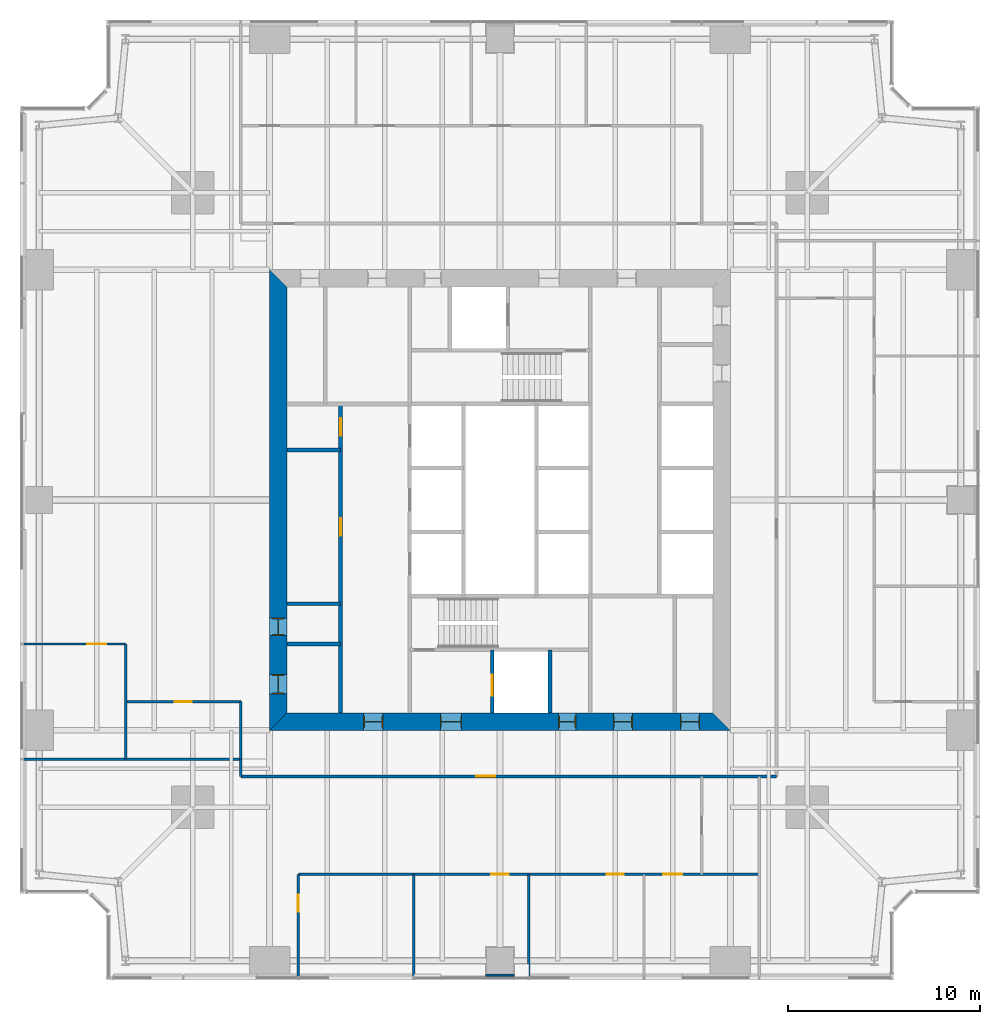
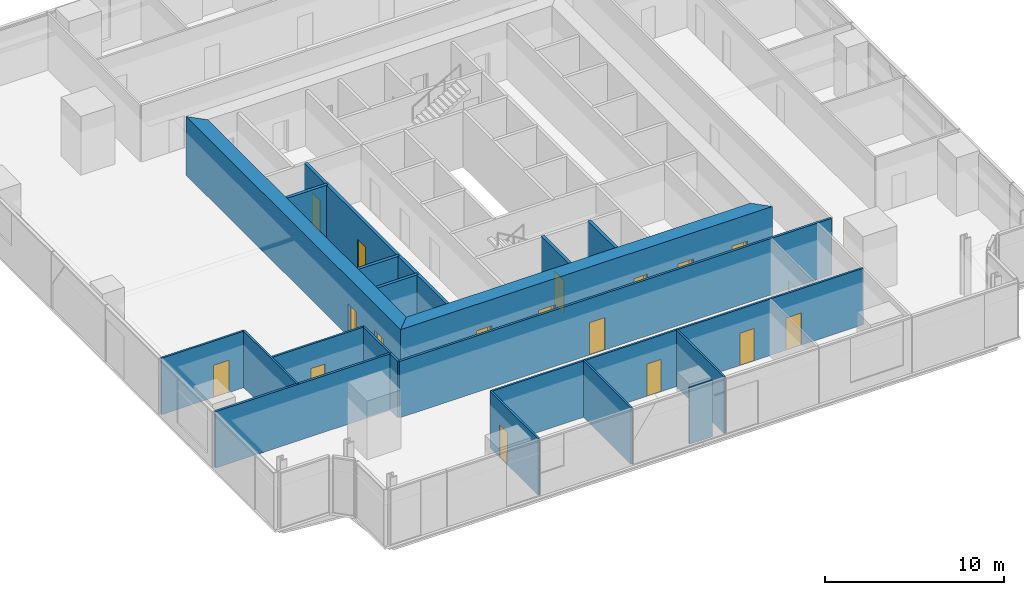
# One storey, part 9 of 13: 20 walls, 17 doors, 17 openings.
"""IFC4 building model written with IfcOpenShell, lengths in metres."""

import ifcopenshell
import ifcopenshell.guid

model = None  # the IFC model being written
_history = None  # IfcOwnerHistory: only IFC2X3 demands one
_inside = {}  # id of a spatial element -> (the spatial element, [elements in it])
_under = {}  # id of a project, library or spatial element -> (it, [spatial elements below it])
_declared = {}  # id of a project -> (the project, [libraries it declares])
_typed = {}  # id of a type object -> (the type object, [elements of that type])
_made_of = {}  # id of a material, layer set ... -> (it, [elements and type objects made of it])


def new_model(schema):
    """Start an empty IFC model of exactly this schema.

    Asked for "IFC4X3", IfcOpenShell would pick the latest addendum, in which some entities
    have other attributes; the version numbers below select the first issue.
    IFC2X3 requires an IfcOwnerHistory on every rooted entity: one is made here for all.
    """
    global model, _history
    if schema == "IFC4X3":
        model = ifcopenshell.file(schema_version=(4, 3, 0, 0))
    else:
        model = ifcopenshell.file(schema=schema)
    _inside.clear()
    _under.clear()
    _declared.clear()
    _typed.clear()
    _made_of.clear()
    _history = None
    if model.schema == "IFC2X3":
        org = make("IfcOrganization", Name="unknown")
        user = make(
            "IfcPersonAndOrganization",
            ThePerson=make("IfcPerson", FamilyName="unknown"),
            TheOrganization=org,
        )
        app = make(
            "IfcApplication",
            ApplicationDeveloper=org,
            Version="unknown",
            ApplicationFullName="unknown",
            ApplicationIdentifier="unknown",
        )
        _history = make(
            "IfcOwnerHistory",
            OwningUser=user,
            OwningApplication=app,
            ChangeAction="ADDED",
            CreationDate=0,
        )
    return model


def make(cls, **values):
    """One entity of the class cls with the attributes given. An attribute that is None is left unset."""
    return model.create_entity(
        cls, **{name: value for name, value in values.items() if value is not None}
    )


def rooted(cls, **values):
    """An entity with a GlobalId (a new one), such as an element, a storey or a relation."""
    return make(cls, GlobalId=ifcopenshell.guid.new(), OwnerHistory=_history, **values)


def si_unit(unit_type, name, prefix=None):
    """IfcSIUnit, for example si_unit("LENGTHUNIT", "METRE", prefix="MILLI")."""
    return make("IfcSIUnit", UnitType=unit_type, Prefix=prefix, Name=name)


def assignment(units):
    """IfcUnitAssignment: the units of a project."""
    return None if units is None else make("IfcUnitAssignment", Units=units)


def point(xyz):
    """IfcCartesianPoint."""
    return None if xyz is None else make("IfcCartesianPoint", Coordinates=xyz)


def direction(xyz):
    """IfcDirection."""
    return None if xyz is None else make("IfcDirection", DirectionRatios=xyz)


def frame(location, z_axis=None, x_axis=None):
    """IfcAxis2Placement3D, a coordinate frame: its origin and axes. An axis left out is left unset."""
    return make(
        "IfcAxis2Placement3D",
        Location=point(location),
        Axis=direction(z_axis),
        RefDirection=direction(x_axis),
    )


def frame_2d(location, x_axis=None):
    """IfcAxis2Placement2D, a coordinate frame in the plane: its origin and x axis."""
    return make(
        "IfcAxis2Placement2D", Location=point(location), RefDirection=direction(x_axis)
    )


def origin():
    """The frame at (0, 0, 0) with its axes left unset."""
    return frame((0.0, 0.0, 0.0))


def place(relative_to, where):
    """IfcLocalPlacement: puts the frame where relative to a parent placement (None: the world)."""
    return make(
        "IfcLocalPlacement", PlacementRelTo=relative_to, RelativePlacement=where
    )


def context(
    kind, dimensions, precision=None, world=None, true_north=None, identifier=None
):
    """IfcGeometricRepresentationContext, for example the 3D "Model" context."""
    return make(
        "IfcGeometricRepresentationContext",
        ContextIdentifier=identifier,
        ContextType=kind,
        CoordinateSpaceDimension=dimensions,
        Precision=precision,
        WorldCoordinateSystem=world,
        TrueNorth=true_north,
    )


def subcontext(parent, identifier, kind, view, scale=None):
    """IfcGeometricRepresentationSubContext, for example "Body" below "Model"."""
    return make(
        "IfcGeometricRepresentationSubContext",
        ContextIdentifier=identifier,
        ContextType=kind,
        ParentContext=parent,
        TargetScale=scale,
        TargetView=view,
    )


def project(units=None, contexts=None):
    """IfcProject with its units and contexts."""
    return rooted(
        "IfcProject",
        Name="project",
        RepresentationContexts=contexts,
        UnitsInContext=assignment(units),
    )


def spatial(cls, under=None, at=None, **own):
    """A site, building, storey or space (cls), placed at a placement, below another one or the project."""
    s = rooted(cls, ObjectPlacement=at, **own)
    if under is not None:
        _under.setdefault(under.id(), (under, []))[1].append(s)
    return s


def polyline(points):
    """IfcPolyline through the points."""
    return make("IfcPolyline", Points=[point(p) for p in points])


def profile(cls, at=None, kind="AREA", **sizes):
    """A parametric profile (cls). Its sizes go by their IFC names, for example OverallWidth=200.0."""
    return make(cls, ProfileType=kind, Position=at, **sizes)


def rectangle(**sizes):
    """IfcRectangleProfileDef."""
    return profile("IfcRectangleProfileDef", **sizes)


def outline(outer, holes=None, kind="AREA"):
    """IfcArbitraryClosedProfileDef: a profile drawn as a closed curve; with holes, ...WithVoids."""
    if holes is None:
        return make("IfcArbitraryClosedProfileDef", ProfileType=kind, OuterCurve=outer)
    return make(
        "IfcArbitraryProfileDefWithVoids",
        ProfileType=kind,
        OuterCurve=outer,
        InnerCurves=holes,
    )


def extrude(swept, where, along, depth):
    """IfcExtrudedAreaSolid: the profile swept, set in the frame where, extruded along a direction by depth."""
    return make(
        "IfcExtrudedAreaSolid",
        SweptArea=swept,
        Position=where,
        ExtrudedDirection=direction(along),
        Depth=depth,
    )


def shape(context_of_items, identifier, shape_type, items):
    """IfcShapeRepresentation: the items that make up one representation, for example the "Body"."""
    return make(
        "IfcShapeRepresentation",
        ContextOfItems=context_of_items,
        RepresentationIdentifier=identifier,
        RepresentationType=shape_type,
        Items=items,
    )


def material(Name=None, Category=None):
    """IfcMaterial."""
    return make("IfcMaterial", Name=Name, Category=Category)


def layer(
    of_material, thickness, ventilated=None, Name=None, Category=None, Priority=None
):
    """IfcMaterialLayer: one layer of a wall or slab, of a material (None: an air gap)."""
    return make(
        "IfcMaterialLayer",
        Material=of_material,
        LayerThickness=thickness,
        IsVentilated=ventilated,
        Name=Name,
        Category=Category,
        Priority=Priority,
    )


def layer_set(layers, Name=None):
    """IfcMaterialLayerSet."""
    return make("IfcMaterialLayerSet", MaterialLayers=layers, LayerSetName=Name)


def made_of(thing, what):
    """Note that an element or type object is made of a material, layer set ...; save() writes the relation."""
    if what is not None:
        _made_of.setdefault(what.id(), (what, []))[1].append(thing)
    return thing


def type_object(cls, material=None, **own):
    """A type object (cls), such as IfcWallType, which elements share."""
    return made_of(rooted(cls, **own), material)


def element(
    cls,
    number,
    at=None,
    inside=None,
    cuts=None,
    type_object=None,
    material=None,
    context=None,
    identifier="Body",
    shape_type=None,
    held_by="IfcProductDefinitionShape",
    body=None,
    shapes=None,
    **own,
):
    """One element of the class cls, such as IfcWall. Its Tag is "e" and its number.

    at: its placement. inside: the storey or other place that contains it. cuts: it is an
    opening in that element (IfcRelVoidsElement). A single representation is given by context,
    identifier, shape_type and body (its items); several are given by shapes. held_by: the class
    of the entity that holds the representations. save() writes the other relations.
    """
    e = rooted(cls, Tag="e%d" % number, ObjectPlacement=at, **own)
    if body is not None:
        shapes = [shape(context, identifier, shape_type, body)]
    if shapes is not None:
        e.Representation = make(held_by, Representations=shapes)
    if inside is not None:
        _inside.setdefault(inside.id(), (inside, []))[1].append(e)
    if cuts is not None:
        rooted(
            "IfcRelVoidsElement", RelatingBuildingElement=cuts, RelatedOpeningElement=e
        )
    if type_object is not None:
        _typed.setdefault(type_object.id(), (type_object, []))[1].append(e)
    return made_of(e, material)


def fill(opening, filler):
    """IfcRelFillsElement: the door or window that sits in an opening."""
    return rooted(
        "IfcRelFillsElement",
        RelatingOpeningElement=opening,
        RelatedBuildingElement=filler,
    )


def aggregate(whole, parts):
    """IfcRelAggregates: a whole, such as a stair, and the parts it consists of."""
    return rooted("IfcRelAggregates", RelatingObject=whole, RelatedObjects=parts)


def save(model, path):
    """Write the relations noted so far, then the file.

    IfcRelAggregates (storeys below a building ...), IfcRelContainedInSpatialStructure (elements
    in a storey), IfcRelDefinesByType, IfcRelAssociatesMaterial and IfcRelDeclares: one each for
    every whole, place, type object, material and project.
    """
    for whole, parts in _under.values():
        aggregate(whole, parts)
    for where, things in _inside.values():
        rooted(
            "IfcRelContainedInSpatialStructure",
            RelatedElements=things,
            RelatingStructure=where,
        )
    for kind, things in _typed.values():
        rooted("IfcRelDefinesByType", RelatedObjects=things, RelatingType=kind)
    for what, things in _made_of.values():
        rooted("IfcRelAssociatesMaterial", RelatedObjects=things, RelatingMaterial=what)
    for by, libraries in _declared.values():
        rooted("IfcRelDeclares", RelatingContext=by, RelatedDefinitions=libraries)
    model.write(path)


model = new_model("IFC4")

# Units and contexts
model_context = context("Model", 3, precision=1e-05, world=origin(), true_north=direction((0.0, 1.0)))
body_context = subcontext(model_context, "Body", "Model", "MODEL_VIEW")
ifc_project = project(units=[si_unit("LENGTHUNIT", "METRE"), si_unit("AREAUNIT", "SQUARE_METRE"), si_unit("VOLUMEUNIT", "CUBIC_METRE"), si_unit("PLANEANGLEUNIT", "RADIAN"), si_unit("MASSUNIT", "GRAM", prefix="KILO")], contexts=[model_context])

# Site, building, storey
site_placement = place(None, origin())
site = spatial("IfcSite", under=ifc_project, at=site_placement, CompositionType="ELEMENT")
building_placement = place(site_placement, origin())
building = spatial("IfcBuilding", under=site, at=building_placement, Name="Fenwick Lantern Interchange", CompositionType="ELEMENT")
storey_placement = place(building_placement, frame((0.0, 0.0, 102.39990234375)))
storey = spatial("IfcBuildingStorey", under=building, at=storey_placement, Name="L23", CompositionType="ELEMENT", Elevation=102.39990234375)

# Wall
ifc_material_1 = material(Name="Fire-rated gypsum board encasement on steel studs, 2 hour", Category="steel")
ifc_layer_1 = layer(ifc_material_1, 1.5)
ifc_layer_set_1 = layer_set([ifc_layer_1], Name="COLUMN PIER 1500")
wall_type_1 = type_object("IfcWallType", Name="COLUMN PIER 1500", PredefinedType="PARTITIONING", material=ifc_layer_set_1)
wall_1_placement = place(storey_placement, frame((25.0, 0.199951171875, 0.0), z_axis=(0.0, 0.0, 1.0), x_axis=(0.0, 1.0, 0.0)))
element("IfcWall", 1, at=wall_1_placement, inside=storey, type_object=wall_type_1, Name="L23/W/PIER/CS3", PredefinedType="PARTITIONING", context=body_context, shape_type="SweptSolid", body=[
    extrude(rectangle(XDim=0.10009765625, YDim=1.5, at=frame_2d((0.050048828125, 0.0))), origin(), (0.0, 0.0, 1.0), 3.85009765625),
])

# Wall, openings, doors
ifc_material_2 = material(Name="Concrete masonry ASTM C90 Grade N", Category="masonry")
ifc_layer_2 = layer(ifc_material_2, 0.199951171875)
ifc_layer_set_2 = layer_set([ifc_layer_2], Name="Concrete masonry ASTM C90 Grade N")
wall_type_2 = type_object("IfcWallType", Name="CORE PARTITION 200", PredefinedType="PARTITIONING", material=ifc_layer_set_2)
wall_2_placement = place(storey_placement, frame((16.699951171875, 13.89990234375, 0.0), z_axis=(0.0, 0.0, 1.0), x_axis=(0.0, 1.0, 0.0)))
wall_2 = element("IfcWall", 2, at=wall_2_placement, inside=storey, type_object=wall_type_2, Name="L23/W/CORES/a", PredefinedType="PARTITIONING", context=body_context, shape_type="SweptSolid", body=[
    extrude(rectangle(XDim=16.10009765625, YDim=0.199951171875, at=frame_2d((8.050048828125, 0.0))), origin(), (0.0, 0.0, 1.0), 3.800048828125),
])
opening_1_placement = place(wall_2_placement, frame((9.25, 0.0, 0.0)))
opening_1 = element("IfcOpeningElement", 3, at=opening_1_placement, cuts=wall_2, Name="Opening L23-D009", PredefinedType="OPENING", context=body_context, shape_type="SweptSolid", body=[
    extrude(rectangle(XDim=0.89990234375, YDim=2.199951171875, at=frame_2d((0.449951171875, 1.10009765625))), frame((0.0, 0.10986328125, 0.0), z_axis=(0.0, -1.0, 0.0), x_axis=(1.0, 0.0, 0.0)), (0.0, 0.0, 1.0), 0.219970703125),
])
opening_2_placement = place(wall_2_placement, frame((14.449951171875, 0.0, 0.0)))
opening_2 = element("IfcOpeningElement", 4, at=opening_2_placement, cuts=wall_2, Name="Opening L23-D010", PredefinedType="OPENING", context=body_context, shape_type="SweptSolid", body=[
    extrude(rectangle(XDim=0.89990234375, YDim=2.199951171875, at=frame_2d((0.449951171875, 1.10009765625))), frame((0.0, 0.10986328125, 0.0), z_axis=(0.0, -1.0, 0.0), x_axis=(1.0, 0.0, 0.0)), (0.0, 0.0, 1.0), 0.219970703125),
])
ifc_material_3 = material(Name="Steel door and frame", Category="steel")
door_type_1 = type_object("IfcDoorType", Name="SERVICE DOOR 900 X 2200", OperationType="SINGLE_SWING_LEFT", PredefinedType="DOOR", material=ifc_material_3)
door_1_placement = place(opening_1_placement, origin())
door_1 = element("IfcDoor", 5, at=door_1_placement, inside=storey, type_object=door_type_1, Name="Service door", OperationType="SINGLE_SWING_LEFT", OverallHeight=2.199951171875, OverallWidth=0.89990234375, PredefinedType="DOOR", context=body_context, shape_type="SweptSolid", body=[
    extrude(rectangle(XDim=0.89990234375, YDim=2.199951171875, at=frame_2d((0.449951171875, 1.10009765625))), frame((0.0, 0.02490234375, 0.0), z_axis=(0.0, -1.0, 0.0), x_axis=(1.0, 0.0, 0.0)), (0.0, 0.0, 1.0), 0.050048828125),
])
fill(opening_1, door_1)
door_2_placement = place(opening_2_placement, origin())
door_2 = element("IfcDoor", 6, at=door_2_placement, inside=storey, type_object=door_type_1, Name="Service door", OperationType="SINGLE_SWING_LEFT", OverallHeight=2.199951171875, OverallWidth=0.89990234375, PredefinedType="DOOR", context=body_context, shape_type="SweptSolid", body=[
    extrude(rectangle(XDim=0.89990234375, YDim=2.199951171875, at=frame_2d((0.449951171875, 1.10009765625))), frame((0.0, 0.02490234375, 0.0), z_axis=(0.0, -1.0, 0.0), x_axis=(1.0, 0.0, 0.0)), (0.0, 0.0, 1.0), 0.050048828125),
])
fill(opening_2, door_2)

# Wall, opening, door
wall_3_placement = place(storey_placement, frame((24.60009765625, 13.89990234375, 0.0), z_axis=(0.0, 0.0, 1.0), x_axis=(0.0, 1.0, 0.0)))
wall_3 = element("IfcWall", 7, at=wall_3_placement, inside=storey, type_object=wall_type_2, Name="L23/W/CORES/h1", PredefinedType="PARTITIONING", context=body_context, shape_type="SweptSolid", body=[
    extrude(rectangle(XDim=3.300048828125, YDim=0.199951171875, at=frame_2d((1.64990234375, 0.0))), origin(), (0.0, 0.0, 1.0), 3.800048828125),
])
opening_3_placement = place(wall_3_placement, frame((0.89990234375, 0.0, 0.0)))
opening_3 = element("IfcOpeningElement", 8, at=opening_3_placement, cuts=wall_3, Name="Opening LD-FL1", PredefinedType="OPENING", context=body_context, shape_type="SweptSolid", body=[
    extrude(rectangle(XDim=1.10009765625, YDim=2.199951171875, at=frame_2d((0.550048828125, 1.10009765625))), frame((0.0, 0.10986328125, 0.0), z_axis=(0.0, -1.0, 0.0), x_axis=(1.0, 0.0, 0.0)), (0.0, 0.0, 1.0), 0.219970703125),
])
door_type_2 = type_object("IfcDoorType", Name="LIFT LANDING DOOR 1100 X 2200", OperationType="DOUBLE_DOOR_SLIDING", PredefinedType="DOOR", material=ifc_material_3)
door_3_placement = place(opening_3_placement, origin())
door_3 = element("IfcDoor", 9, at=door_3_placement, inside=storey, type_object=door_type_2, Name="Lift landing door FL1", OperationType="DOUBLE_DOOR_SLIDING", OverallHeight=2.199951171875, OverallWidth=1.10009765625, PredefinedType="DOOR", context=body_context, shape_type="SweptSolid", body=[
    extrude(rectangle(XDim=1.10009765625, YDim=2.199951171875, at=frame_2d((0.550048828125, 1.10009765625))), frame((0.0, 0.02490234375, 0.0), z_axis=(0.0, -1.0, 0.0), x_axis=(1.0, 0.0, 0.0)), (0.0, 0.0, 1.0), 0.050048828125),
])
fill(opening_3, door_3)

# Walls
wall_4_placement = place(storey_placement, frame((27.60009765625, 13.89990234375, 0.0), z_axis=(0.0, 0.0, 1.0), x_axis=(0.0, 1.0, 0.0)))
element("IfcWall", 10, at=wall_4_placement, inside=storey, type_object=wall_type_2, Name="L23/W/CORES/h2", PredefinedType="PARTITIONING", context=body_context, shape_type="SweptSolid", body=[
    extrude(rectangle(XDim=3.300048828125, YDim=0.199951171875, at=frame_2d((1.64990234375, 0.0))), origin(), (0.0, 0.0, 1.0), 3.800048828125),
])
for number, where, z_axis, x_axis, name in (
    (11, (13.89990234375, 17.5, 0.0), (0.0, 0.0, 1.0), (1.0, 0.0, 0.0), "L23/W/CORES/p1"),
    (12, (13.89990234375, 19.60009765625, 0.0), (0.0, 0.0, 1.0), (1.0, 0.0, 0.0), "L23/W/CORES/p2"),
    (13, (13.89990234375, 27.60009765625, 0.0), (0.0, 0.0, 1.0), (1.0, 0.0, 0.0), "L23/W/CORES/p3"),
):
    element("IfcWall", number, at=place(storey_placement, frame(where, z_axis=z_axis, x_axis=x_axis)), inside=storey, type_object=wall_type_2, Name=name, PredefinedType="PARTITIONING", context=body_context, shape_type="SweptSolid", body=[
        extrude(rectangle(XDim=2.800048828125, YDim=0.199951171875, at=frame_2d((1.39990234375, 0.0))), origin(), (0.0, 0.0, 1.0), 3.800048828125),
    ])

# Wall, openings, doors
ifc_material_4 = material(Name="Concrete f'c 70 MPa", Category="concrete")
ifc_layer_3 = layer(ifc_material_4, 0.89990234375)
ifc_layer_set_3 = layer_set([ifc_layer_3], Name="CORE WALL 900")
wall_type_3 = type_object("IfcWallType", Name="CORE WALL 900", PredefinedType="SHEAR", material=ifc_layer_set_3)
wall_5_placement = place(storey_placement, frame((13.0, 13.449951171875, 0.0), z_axis=(0.0, 0.0, 1.0), x_axis=(1.0, 0.0, 0.0)))
wall_5 = element("IfcWall", 14, at=wall_5_placement, inside=storey, type_object=wall_type_3, Name="L23/CORE/S", PredefinedType="SHEAR", context=body_context, shape_type="SweptSolid", body=[
    extrude(outline(polyline([(0.0, -0.449951171875), (24.0, -0.449951171875), (23.10009765625, 0.449951171875), (0.89990234375, 0.449951171875), (0.0, -0.449951171875)])), origin(), (0.0, 0.0, 1.0), 4.0),
])
opening_4_placement = place(wall_5_placement, frame((4.89990234375, 0.0, 0.0)))
opening_4 = element("IfcOpeningElement", 15, at=opening_4_placement, cuts=wall_5, Name="Opening L23-D001", PredefinedType="OPENING", context=body_context, shape_type="SweptSolid", body=[
    extrude(rectangle(XDim=1.0, YDim=2.199951171875, at=frame_2d((0.5, 1.10009765625))), frame((0.0, 0.4599609375, 0.0), z_axis=(0.0, -1.0, 0.0), x_axis=(1.0, 0.0, 0.0)), (0.0, 0.0, 1.0), 0.919921875),
])
opening_5_placement = place(wall_5_placement, frame((8.89990234375, 0.0, 0.0)))
opening_5 = element("IfcOpeningElement", 16, at=opening_5_placement, cuts=wall_5, Name="Opening L23-D002", PredefinedType="OPENING", context=body_context, shape_type="SweptSolid", body=[
    extrude(rectangle(XDim=1.10009765625, YDim=2.199951171875, at=frame_2d((0.550048828125, 1.10009765625))), frame((0.0, 0.4599609375, 0.0), z_axis=(0.0, -1.0, 0.0), x_axis=(1.0, 0.0, 0.0)), (0.0, 0.0, 1.0), 0.919921875),
])
opening_6_placement = place(wall_5_placement, frame((15.050048828125, 0.0, 0.0)))
opening_6 = element("IfcOpeningElement", 17, at=opening_6_placement, cuts=wall_5, Name="Opening L23-D004", PredefinedType="OPENING", context=body_context, shape_type="SweptSolid", body=[
    extrude(rectangle(XDim=0.89990234375, YDim=2.199951171875, at=frame_2d((0.449951171875, 1.10009765625))), frame((0.0, 0.4599609375, 0.0), z_axis=(0.0, -1.0, 0.0), x_axis=(1.0, 0.0, 0.0)), (0.0, 0.0, 1.0), 0.919921875),
])
opening_7_placement = place(wall_5_placement, frame((17.89990234375, 0.0, 0.0)))
opening_7 = element("IfcOpeningElement", 18, at=opening_7_placement, cuts=wall_5, Name="Opening L23-D005", PredefinedType="OPENING", context=body_context, shape_type="SweptSolid", body=[
    extrude(rectangle(XDim=1.0, YDim=2.199951171875, at=frame_2d((0.5, 1.10009765625))), frame((0.0, 0.4599609375, 0.0), z_axis=(0.0, -1.0, 0.0), x_axis=(1.0, 0.0, 0.0)), (0.0, 0.0, 1.0), 0.919921875),
])
opening_8_placement = place(wall_5_placement, frame((21.39990234375, 0.0, 0.0)))
opening_8 = element("IfcOpeningElement", 19, at=opening_8_placement, cuts=wall_5, Name="Opening L23-D006", PredefinedType="OPENING", context=body_context, shape_type="SweptSolid", body=[
    extrude(rectangle(XDim=1.0, YDim=2.199951171875, at=frame_2d((0.5, 1.10009765625))), frame((0.0, 0.4599609375, 0.0), z_axis=(0.0, -1.0, 0.0), x_axis=(1.0, 0.0, 0.0)), (0.0, 0.0, 1.0), 0.919921875),
])
door_type_3 = type_object("IfcDoorType", Name="CORE LOBBY DOOR 1000 X 2200", OperationType="SINGLE_SWING_LEFT", PredefinedType="DOOR", material=ifc_material_3)
door_4_placement = place(opening_4_placement, origin())
door_4 = element("IfcDoor", 20, at=door_4_placement, inside=storey, type_object=door_type_3, Name="Core lobby door", OperationType="SINGLE_SWING_LEFT", OverallHeight=2.199951171875, OverallWidth=1.0, PredefinedType="DOOR", context=body_context, shape_type="SweptSolid", body=[
    extrude(rectangle(XDim=1.0, YDim=2.199951171875, at=frame_2d((0.5, 1.10009765625))), frame((0.0, 0.02490234375, 0.0), z_axis=(0.0, -1.0, 0.0), x_axis=(1.0, 0.0, 0.0)), (0.0, 0.0, 1.0), 0.050048828125),
    extrude(outline(polyline([(0.0, 0.0), (0.0400390625, 0.0), (0.0400390625, 2.159912109375), (0.9599609375, 2.159912109375), (0.9599609375, 0.0), (1.0, 0.0), (1.0, 2.199951171875), (0.0, 2.199951171875), (0.0, 0.0)])), frame((0.0, 0.300048828125, 0.0), z_axis=(0.0, -1.0, 0.0), x_axis=(1.0, 0.0, 0.0)), (0.0, 0.0, 1.0), 0.60009765625),
])
fill(opening_4, door_4)
door_type_4 = type_object("IfcDoorType", Name="FIRE LOBBY DOOR 1100 X 2200", OperationType="SINGLE_SWING_LEFT", PredefinedType="DOOR", material=ifc_material_3)
door_5_placement = place(opening_5_placement, origin())
door_5 = element("IfcDoor", 21, at=door_5_placement, inside=storey, type_object=door_type_4, Name="Fire lobby door", OperationType="SINGLE_SWING_LEFT", OverallHeight=2.199951171875, OverallWidth=1.10009765625, PredefinedType="DOOR", context=body_context, shape_type="SweptSolid", body=[
    extrude(rectangle(XDim=1.10009765625, YDim=2.199951171875, at=frame_2d((0.550048828125, 1.10009765625))), frame((0.0, 0.02490234375, 0.0), z_axis=(0.0, -1.0, 0.0), x_axis=(1.0, 0.0, 0.0)), (0.0, 0.0, 1.0), 0.050048828125),
    extrude(outline(polyline([(0.0, 0.0), (0.0400390625, 0.0), (0.0400390625, 2.159912109375), (1.06005859375, 2.159912109375), (1.06005859375, 0.0), (1.10009765625, 0.0), (1.10009765625, 2.199951171875), (0.0, 2.199951171875), (0.0, 0.0)])), frame((0.0, 0.300048828125, 0.0), z_axis=(0.0, -1.0, 0.0), x_axis=(1.0, 0.0, 0.0)), (0.0, 0.0, 1.0), 0.60009765625),
])
fill(opening_5, door_5)
door_6_placement = place(opening_6_placement, origin())
door_6 = element("IfcDoor", 22, at=door_6_placement, inside=storey, type_object=door_type_1, Name="Service door", OperationType="SINGLE_SWING_LEFT", OverallHeight=2.199951171875, OverallWidth=0.89990234375, PredefinedType="DOOR", context=body_context, shape_type="SweptSolid", body=[
    extrude(rectangle(XDim=0.89990234375, YDim=2.199951171875, at=frame_2d((0.449951171875, 1.10009765625))), frame((0.0, 0.02490234375, 0.0), z_axis=(0.0, -1.0, 0.0), x_axis=(1.0, 0.0, 0.0)), (0.0, 0.0, 1.0), 0.050048828125),
    extrude(outline(polyline([(0.0, 0.0), (0.0400390625, 0.0), (0.0400390625, 2.159912109375), (0.85986328125, 2.159912109375), (0.85986328125, 0.0), (0.89990234375, 0.0), (0.89990234375, 2.199951171875), (0.0, 2.199951171875), (0.0, 0.0)])), frame((0.0, 0.300048828125, 0.0), z_axis=(0.0, -1.0, 0.0), x_axis=(1.0, 0.0, 0.0)), (0.0, 0.0, 1.0), 0.60009765625),
])
fill(opening_6, door_6)
ifc_material_5 = material(Name="Hardwood door and steel frame", Category="steel")
door_type_5 = type_object("IfcDoorType", Name="WC DOOR 1000 X 2200", OperationType="SINGLE_SWING_LEFT", PredefinedType="DOOR", material=ifc_material_5)
door_7_placement = place(opening_7_placement, origin())
door_7 = element("IfcDoor", 23, at=door_7_placement, inside=storey, type_object=door_type_5, Name="Wc door", OperationType="SINGLE_SWING_LEFT", OverallHeight=2.199951171875, OverallWidth=1.0, PredefinedType="DOOR", context=body_context, shape_type="SweptSolid", body=[
    extrude(rectangle(XDim=1.0, YDim=2.199951171875, at=frame_2d((0.5, 1.10009765625))), frame((0.0, 0.02490234375, 0.0), z_axis=(0.0, -1.0, 0.0), x_axis=(1.0, 0.0, 0.0)), (0.0, 0.0, 1.0), 0.050048828125),
    extrude(outline(polyline([(0.0, 0.0), (0.0400390625, 0.0), (0.0400390625, 2.159912109375), (0.9599609375, 2.159912109375), (0.9599609375, 0.0), (1.0, 0.0), (1.0, 2.199951171875), (0.0, 2.199951171875), (0.0, 0.0)])), frame((0.0, 0.300048828125, 0.0), z_axis=(0.0, -1.0, 0.0), x_axis=(1.0, 0.0, 0.0)), (0.0, 0.0, 1.0), 0.60009765625),
])
fill(opening_7, door_7)
door_8_placement = place(opening_8_placement, origin())
door_8 = element("IfcDoor", 24, at=door_8_placement, inside=storey, type_object=door_type_5, Name="Wc door", OperationType="SINGLE_SWING_LEFT", OverallHeight=2.199951171875, OverallWidth=1.0, PredefinedType="DOOR", context=body_context, shape_type="SweptSolid", body=[
    extrude(rectangle(XDim=1.0, YDim=2.199951171875, at=frame_2d((0.5, 1.10009765625))), frame((0.0, 0.02490234375, 0.0), z_axis=(0.0, -1.0, 0.0), x_axis=(1.0, 0.0, 0.0)), (0.0, 0.0, 1.0), 0.050048828125),
    extrude(outline(polyline([(0.0, 0.0), (0.0400390625, 0.0), (0.0400390625, 2.159912109375), (0.9599609375, 2.159912109375), (0.9599609375, 0.0), (1.0, 0.0), (1.0, 2.199951171875), (0.0, 2.199951171875), (0.0, 0.0)])), frame((0.0, 0.300048828125, 0.0), z_axis=(0.0, -1.0, 0.0), x_axis=(1.0, 0.0, 0.0)), (0.0, 0.0, 1.0), 0.60009765625),
])
fill(opening_8, door_8)

wall_6_placement = place(storey_placement, frame((13.449951171875, 36.10009765625, 0.0), z_axis=(0.0, 0.0, 1.0), x_axis=(0.0, -1.0, 0.0)))
wall_6 = element("IfcWall", 25, at=wall_6_placement, inside=storey, type_object=wall_type_3, Name="L23/CORE/W", PredefinedType="SHEAR", context=body_context, shape_type="SweptSolid", body=[
    extrude(outline(polyline([(-0.89990234375, -0.449951171875), (23.10009765625, -0.449951171875), (22.199951171875, 0.449951171875), (0.0, 0.449951171875), (-0.89990234375, -0.449951171875)])), origin(), (0.0, 0.0, 1.0), 4.0),
])
opening_9_placement = place(wall_6_placement, frame((20.199951171875, 0.0, 0.0)))
opening_9 = element("IfcOpeningElement", 26, at=opening_9_placement, cuts=wall_6, Name="Opening L23-D007", PredefinedType="OPENING", context=body_context, shape_type="SweptSolid", body=[
    extrude(rectangle(XDim=1.0, YDim=2.199951171875, at=frame_2d((0.5, 1.10009765625))), frame((0.0, 0.4599609375, 0.0), z_axis=(0.0, -1.0, 0.0), x_axis=(1.0, 0.0, 0.0)), (0.0, 0.0, 1.0), 0.919921875),
])
opening_10_placement = place(wall_6_placement, frame((17.25, 0.0, 0.0)))
opening_10 = element("IfcOpeningElement", 27, at=opening_10_placement, cuts=wall_6, Name="Opening L23-D008", PredefinedType="OPENING", context=body_context, shape_type="SweptSolid", body=[
    extrude(rectangle(XDim=0.89990234375, YDim=2.199951171875, at=frame_2d((0.449951171875, 1.10009765625))), frame((0.0, 0.4599609375, 0.0), z_axis=(0.0, -1.0, 0.0), x_axis=(1.0, 0.0, 0.0)), (0.0, 0.0, 1.0), 0.919921875),
])
door_9_placement = place(opening_10_placement, origin())
door_9 = element("IfcDoor", 28, at=door_9_placement, inside=storey, type_object=door_type_1, Name="Service door", OperationType="SINGLE_SWING_RIGHT", OverallHeight=2.199951171875, OverallWidth=0.89990234375, PredefinedType="DOOR", context=body_context, shape_type="SweptSolid", body=[
    extrude(rectangle(XDim=0.89990234375, YDim=2.199951171875, at=frame_2d((0.449951171875, 1.10009765625))), frame((0.0, 0.02490234375, 0.0), z_axis=(0.0, -1.0, 0.0), x_axis=(1.0, 0.0, 0.0)), (0.0, 0.0, 1.0), 0.050048828125),
    extrude(outline(polyline([(0.0, 0.0), (0.0400390625, 0.0), (0.0400390625, 2.159912109375), (0.85986328125, 2.159912109375), (0.85986328125, 0.0), (0.89990234375, 0.0), (0.89990234375, 2.199951171875), (0.0, 2.199951171875), (0.0, 0.0)])), frame((0.0, 0.300048828125, 0.0), z_axis=(0.0, -1.0, 0.0), x_axis=(1.0, 0.0, 0.0)), (0.0, 0.0, 1.0), 0.60009765625),
])
fill(opening_10, door_9)
door_10_placement = place(opening_9_placement, origin())
door_10 = element("IfcDoor", 29, at=door_10_placement, inside=storey, type_object=door_type_5, Name="Wc door", OperationType="SINGLE_SWING_RIGHT", OverallHeight=2.199951171875, OverallWidth=1.0, PredefinedType="DOOR", context=body_context, shape_type="SweptSolid", body=[
    extrude(rectangle(XDim=1.0, YDim=2.199951171875, at=frame_2d((0.5, 1.10009765625))), frame((0.0, 0.02490234375, 0.0), z_axis=(0.0, -1.0, 0.0), x_axis=(1.0, 0.0, 0.0)), (0.0, 0.0, 1.0), 0.050048828125),
    extrude(outline(polyline([(0.0, 0.0), (0.0400390625, 0.0), (0.0400390625, 2.159912109375), (0.9599609375, 2.159912109375), (0.9599609375, 0.0), (1.0, 0.0), (1.0, 2.199951171875), (0.0, 2.199951171875), (0.0, 0.0)])), frame((0.0, 0.300048828125, 0.0), z_axis=(0.0, -1.0, 0.0), x_axis=(1.0, 0.0, 0.0)), (0.0, 0.0, 1.0), 0.60009765625),
])
fill(opening_9, door_10)

# Wall
ifc_material_6 = material(Name="Gypsum board on steel studs, 1 hour", Category="steel")
ifc_layer_4 = layer(ifc_material_6, 0.14990234375)
ifc_layer_set_4 = layer_set([ifc_layer_4], Name="CORRIDOR WALL 150")
wall_type_4 = type_object("IfcWallType", Name="CORRIDOR WALL 150", PredefinedType="PARTITIONING", material=ifc_layer_set_4)
wall_7_placement = place(storey_placement, frame((11.5, 11.5, 0.0), z_axis=(0.0, 0.0, 1.0), x_axis=(0.0, -1.0, 0.0)))
element("IfcWall", 30, at=wall_7_placement, inside=storey, type_object=wall_type_4, Name="L23/W/OFF/S/CWJ", PredefinedType="PARTITIONING", context=body_context, shape_type="SweptSolid", body=[
    extrude(rectangle(XDim=0.89990234375, YDim=0.14990234375, at=frame_2d((0.449951171875, 0.0))), origin(), (0.0, 0.0, 1.0), 3.85009765625),
])

# Wall, opening, door
wall_8_placement = place(storey_placement, frame((11.5, 10.60009765625, 0.0), z_axis=(0.0, 0.0, 1.0), x_axis=(1.0, 0.0, 0.0)))
wall_8 = element("IfcWall", 31, at=wall_8_placement, inside=storey, type_object=wall_type_4, Name="L23/W/OFF/S/CW2", PredefinedType="PARTITIONING", context=body_context, shape_type="SweptSolid", body=[
    extrude(rectangle(XDim=27.89990234375, YDim=0.14990234375, at=frame_2d((13.949951171875, 0.0))), origin(), (0.0, 0.0, 1.0), 3.85009765625),
])
opening_11_placement = place(wall_8_placement, frame((12.25, 0.0, 0.0)))
opening_11 = element("IfcOpeningElement", 32, at=opening_11_placement, cuts=wall_8, Name="Opening L23-D019", PredefinedType="OPENING", context=body_context, shape_type="SweptSolid", body=[
    extrude(rectangle(XDim=1.0, YDim=2.199951171875, at=frame_2d((0.5, 1.10009765625))), frame((0.0, 0.0849609375, 0.0), z_axis=(0.0, -1.0, 0.0), x_axis=(1.0, 0.0, 0.0)), (0.0, 0.0, 1.0), 0.169921875),
])
door_type_6 = type_object("IfcDoorType", Name="SUITE ENTRANCE DOOR 1000 X 2200", OperationType="SINGLE_SWING_LEFT", PredefinedType="DOOR", material=ifc_material_3)
door_11_placement = place(opening_11_placement, frame((1.0, 0.0, 0.0), z_axis=(0.0, 0.0, 1.0), x_axis=(-1.0, 0.0, 0.0)))
door_11 = element("IfcDoor", 33, at=door_11_placement, inside=storey, type_object=door_type_6, Name="Suite entrance door", OperationType="SINGLE_SWING_LEFT", OverallHeight=2.199951171875, OverallWidth=1.0, PredefinedType="DOOR", context=body_context, shape_type="SweptSolid", body=[
    extrude(rectangle(XDim=1.0, YDim=2.199951171875, at=frame_2d((0.5, 1.10009765625))), frame((0.0, 0.02490234375, 0.0), z_axis=(0.0, -1.0, 0.0), x_axis=(1.0, 0.0, 0.0)), (0.0, 0.0, 1.0), 0.050048828125),
])
fill(opening_11, door_11)

ifc_material_7 = material(Name="Gypsum board on steel studs, acoustic", Category="steel")
ifc_layer_5 = layer(ifc_material_7, 0.125)
ifc_layer_set_5 = layer_set([ifc_layer_5], Name="OFFICE PARTITION 125")
wall_type_5 = type_object("IfcWallType", Name="OFFICE PARTITION 125", PredefinedType="PARTITIONING", material=ifc_layer_set_5)
wall_9_placement = place(storey_placement, frame((14.5, 0.14990234375, 0.0), z_axis=(0.0, 0.0, 1.0), x_axis=(0.0, 1.0, 0.0)))
wall_9 = element("IfcWall", 34, at=wall_9_placement, inside=storey, type_object=wall_type_5, Name="L23/W/OFF/S/X145-1", PredefinedType="PARTITIONING", context=body_context, shape_type="SweptSolid", body=[
    extrude(rectangle(XDim=5.35009765625, YDim=0.125, at=frame_2d((2.675048828125, 0.0))), origin(), (0.0, 0.0, 1.0), 3.85009765625),
])
opening_12_placement = place(wall_9_placement, frame((3.39990234375, 0.0, 0.0)))
opening_12 = element("IfcOpeningElement", 35, at=opening_12_placement, cuts=wall_9, Name="Opening L23-D020", PredefinedType="OPENING", context=body_context, shape_type="SweptSolid", body=[
    extrude(rectangle(XDim=0.89990234375, YDim=2.199951171875, at=frame_2d((0.449951171875, 1.10009765625))), frame((0.0, 0.072509765625, 0.0), z_axis=(0.0, -1.0, 0.0), x_axis=(1.0, 0.0, 0.0)), (0.0, 0.0, 1.0), 0.14501953125),
])
door_type_7 = type_object("IfcDoorType", Name="OFFICE DOOR 900 X 2200", OperationType="SINGLE_SWING_LEFT", PredefinedType="DOOR", material=ifc_material_5)
door_12_placement = place(opening_12_placement, frame((0.89990234375, 0.0, 0.0), z_axis=(0.0, 0.0, 1.0), x_axis=(-1.0, 0.0, 0.0)))
door_12 = element("IfcDoor", 36, at=door_12_placement, inside=storey, type_object=door_type_7, Name="Office door", OperationType="SINGLE_SWING_LEFT", OverallHeight=2.199951171875, OverallWidth=0.89990234375, PredefinedType="DOOR", context=body_context, shape_type="SweptSolid", body=[
    extrude(rectangle(XDim=0.89990234375, YDim=2.199951171875, at=frame_2d((0.449951171875, 1.10009765625))), frame((0.0, 0.02490234375, 0.0), z_axis=(0.0, -1.0, 0.0), x_axis=(1.0, 0.0, 0.0)), (0.0, 0.0, 1.0), 0.050048828125),
])
fill(opening_12, door_12)

# Walls
for number, where, z_axis, x_axis, name in (
    (37, (20.5, 0.14990234375, 0.0), (0.0, 0.0, 1.0), (0.0, 1.0, 0.0), "L23/W/OFF/S/X205-1"),
    (38, (26.5, 0.14990234375, 0.0), (0.0, 0.0, 1.0), (0.0, 1.0, 0.0), "L23/W/OFF/S/X265-1"),
):
    element("IfcWall", number, at=place(storey_placement, frame(where, z_axis=z_axis, x_axis=x_axis)), inside=storey, type_object=wall_type_5, Name=name, PredefinedType="PARTITIONING", context=body_context, shape_type="SweptSolid", body=[
        extrude(rectangle(XDim=5.35009765625, YDim=0.125, at=frame_2d((2.675048828125, 0.0))), origin(), (0.0, 0.0, 1.0), 3.85009765625),
    ])

# Wall, openings, doors
wall_10_placement = place(storey_placement, frame((14.5, 5.5, 0.0), z_axis=(0.0, 0.0, 1.0), x_axis=(1.0, 0.0, 0.0)))
wall_10 = element("IfcWall", 39, at=wall_10_placement, inside=storey, type_object=wall_type_5, Name="L23/W/OFF/S/Y55-1", PredefinedType="PARTITIONING", context=body_context, shape_type="SweptSolid", body=[
    extrude(rectangle(XDim=24.0, YDim=0.125, at=frame_2d((12.0, 0.0))), origin(), (0.0, 0.0, 1.0), 3.85009765625),
])
opening_13_placement = place(wall_10_placement, frame((10.050048828125, 0.0, 0.0)))
opening_13 = element("IfcOpeningElement", 40, at=opening_13_placement, cuts=wall_10, Name="Opening L23-D021", PredefinedType="OPENING", context=body_context, shape_type="SweptSolid", body=[
    extrude(rectangle(XDim=0.89990234375, YDim=2.199951171875, at=frame_2d((0.449951171875, 1.10009765625))), frame((0.0, 0.072509765625, 0.0), z_axis=(0.0, -1.0, 0.0), x_axis=(1.0, 0.0, 0.0)), (0.0, 0.0, 1.0), 0.14501953125),
])
opening_14_placement = place(wall_10_placement, frame((16.050048828125, 0.0, 0.0)))
opening_14 = element("IfcOpeningElement", 41, at=opening_14_placement, cuts=wall_10, Name="Opening L23-D022", PredefinedType="OPENING", context=body_context, shape_type="SweptSolid", body=[
    extrude(rectangle(XDim=0.89990234375, YDim=2.199951171875, at=frame_2d((0.449951171875, 1.10009765625))), frame((0.0, 0.072509765625, 0.0), z_axis=(0.0, -1.0, 0.0), x_axis=(1.0, 0.0, 0.0)), (0.0, 0.0, 1.0), 0.14501953125),
])
opening_15_placement = place(wall_10_placement, frame((19.0, 0.0, 0.0)))
opening_15 = element("IfcOpeningElement", 42, at=opening_15_placement, cuts=wall_10, Name="Opening L23-D023", PredefinedType="OPENING", context=body_context, shape_type="SweptSolid", body=[
    extrude(rectangle(XDim=1.0, YDim=2.199951171875, at=frame_2d((0.5, 1.10009765625))), frame((0.0, 0.072509765625, 0.0), z_axis=(0.0, -1.0, 0.0), x_axis=(1.0, 0.0, 0.0)), (0.0, 0.0, 1.0), 0.14501953125),
])
door_type_8 = type_object("IfcDoorType", Name="MEETING ROOM DOOR 1000 X 2200", OperationType="SINGLE_SWING_LEFT", PredefinedType="DOOR", material=ifc_material_5)
door_13_placement = place(opening_15_placement, frame((1.0, 0.0, 0.0), z_axis=(0.0, 0.0, 1.0), x_axis=(-1.0, 0.0, 0.0)))
door_13 = element("IfcDoor", 43, at=door_13_placement, inside=storey, type_object=door_type_8, Name="Meeting room door", OperationType="SINGLE_SWING_RIGHT", OverallHeight=2.199951171875, OverallWidth=1.0, PredefinedType="DOOR", context=body_context, shape_type="SweptSolid", body=[
    extrude(rectangle(XDim=1.0, YDim=2.199951171875, at=frame_2d((0.5, 1.10009765625))), frame((0.0, 0.02490234375, 0.0), z_axis=(0.0, -1.0, 0.0), x_axis=(1.0, 0.0, 0.0)), (0.0, 0.0, 1.0), 0.050048828125),
])
fill(opening_15, door_13)
door_14_placement = place(opening_13_placement, frame((0.89990234375, 0.0, 0.0), z_axis=(0.0, 0.0, 1.0), x_axis=(-1.0, 0.0, 0.0)))
door_14 = element("IfcDoor", 44, at=door_14_placement, inside=storey, type_object=door_type_7, Name="Office door", OperationType="SINGLE_SWING_LEFT", OverallHeight=2.199951171875, OverallWidth=0.89990234375, PredefinedType="DOOR", context=body_context, shape_type="SweptSolid", body=[
    extrude(rectangle(XDim=0.89990234375, YDim=2.199951171875, at=frame_2d((0.449951171875, 1.10009765625))), frame((0.0, 0.02490234375, 0.0), z_axis=(0.0, -1.0, 0.0), x_axis=(1.0, 0.0, 0.0)), (0.0, 0.0, 1.0), 0.050048828125),
])
fill(opening_13, door_14)
door_15_placement = place(opening_14_placement, frame((0.89990234375, 0.0, 0.0), z_axis=(0.0, 0.0, 1.0), x_axis=(-1.0, 0.0, 0.0)))
door_15 = element("IfcDoor", 45, at=door_15_placement, inside=storey, type_object=door_type_7, Name="Office door", OperationType="SINGLE_SWING_LEFT", OverallHeight=2.199951171875, OverallWidth=0.89990234375, PredefinedType="DOOR", context=body_context, shape_type="SweptSolid", body=[
    extrude(rectangle(XDim=0.89990234375, YDim=2.199951171875, at=frame_2d((0.449951171875, 1.10009765625))), frame((0.0, 0.02490234375, 0.0), z_axis=(0.0, -1.0, 0.0), x_axis=(1.0, 0.0, 0.0)), (0.0, 0.0, 1.0), 0.050048828125),
])
fill(opening_14, door_15)

# Wall, opening, door
wall_11_placement = place(storey_placement, frame((0.14990234375, 17.5, 0.0), z_axis=(0.0, 0.0, 1.0), x_axis=(1.0, 0.0, 0.0)))
wall_11 = element("IfcWall", 46, at=wall_11_placement, inside=storey, type_object=wall_type_5, Name="L23/W/OFF/W/X325-1", PredefinedType="PARTITIONING", context=body_context, shape_type="SweptSolid", body=[
    extrude(rectangle(XDim=5.35009765625, YDim=0.125, at=frame_2d((2.675048828125, 0.0))), origin(), (0.0, 0.0, 1.0), 3.85009765625),
])
opening_16_placement = place(wall_11_placement, frame((3.35009765625, 0.0, 0.0)))
opening_16 = element("IfcOpeningElement", 47, at=opening_16_placement, cuts=wall_11, Name="Opening L23-D038", PredefinedType="OPENING", context=body_context, shape_type="SweptSolid", body=[
    extrude(rectangle(XDim=1.0, YDim=2.199951171875, at=frame_2d((0.5, 1.10009765625))), frame((0.0, 0.072509765625, 0.0), z_axis=(0.0, -1.0, 0.0), x_axis=(1.0, 0.0, 0.0)), (0.0, 0.0, 1.0), 0.14501953125),
])
door_16_placement = place(opening_16_placement, frame((1.0, 0.0, 0.0), z_axis=(0.0, 0.0, 1.0), x_axis=(-1.0, 0.0, 0.0)))
door_16 = element("IfcDoor", 48, at=door_16_placement, inside=storey, type_object=door_type_8, Name="Meeting room door", OperationType="SINGLE_SWING_LEFT", OverallHeight=2.199951171875, OverallWidth=1.0, PredefinedType="DOOR", context=body_context, shape_type="SweptSolid", body=[
    extrude(rectangle(XDim=1.0, YDim=2.199951171875, at=frame_2d((0.5, 1.10009765625))), frame((0.0, 0.02490234375, 0.0), z_axis=(0.0, -1.0, 0.0), x_axis=(1.0, 0.0, 0.0)), (0.0, 0.0, 1.0), 0.050048828125),
])
fill(opening_16, door_16)

wall_12_placement = place(storey_placement, frame((5.5, 14.5, 0.0), z_axis=(0.0, 0.0, 1.0), x_axis=(1.0, 0.0, 0.0)))
wall_12 = element("IfcWall", 49, at=wall_12_placement, inside=storey, type_object=wall_type_5, Name="L23/W/OFF/W/X355-1", PredefinedType="PARTITIONING", context=body_context, shape_type="SweptSolid", body=[
    extrude(rectangle(XDim=6.0, YDim=0.125, at=frame_2d((3.0, 0.0))), origin(), (0.0, 0.0, 1.0), 3.85009765625),
])
opening_17_placement = place(wall_12_placement, frame((2.550048828125, 0.0, 0.0)))
opening_17 = element("IfcOpeningElement", 50, at=opening_17_placement, cuts=wall_12, Name="Opening L23-D039", PredefinedType="OPENING", context=body_context, shape_type="SweptSolid", body=[
    extrude(rectangle(XDim=0.89990234375, YDim=2.199951171875, at=frame_2d((0.449951171875, 1.10009765625))), frame((0.0, 0.072509765625, 0.0), z_axis=(0.0, -1.0, 0.0), x_axis=(1.0, 0.0, 0.0)), (0.0, 0.0, 1.0), 0.14501953125),
])
door_17_placement = place(opening_17_placement, frame((0.89990234375, 0.0, 0.0), z_axis=(0.0, 0.0, 1.0), x_axis=(-1.0, 0.0, 0.0)))
door_17 = element("IfcDoor", 51, at=door_17_placement, inside=storey, type_object=door_type_7, Name="Office door", OperationType="SINGLE_SWING_RIGHT", OverallHeight=2.199951171875, OverallWidth=0.89990234375, PredefinedType="DOOR", context=body_context, shape_type="SweptSolid", body=[
    extrude(rectangle(XDim=0.89990234375, YDim=2.199951171875, at=frame_2d((0.449951171875, 1.10009765625))), frame((0.0, 0.02490234375, 0.0), z_axis=(0.0, -1.0, 0.0), x_axis=(1.0, 0.0, 0.0)), (0.0, 0.0, 1.0), 0.050048828125),
])
fill(opening_17, door_17)

# Walls
wall_13_placement = place(storey_placement, frame((5.5, 17.5, 0.0), z_axis=(0.0, 0.0, 1.0), x_axis=(0.0, -1.0, 0.0)))
element("IfcWall", 52, at=wall_13_placement, inside=storey, type_object=wall_type_5, Name="L23/W/OFF/W/Y55-1", PredefinedType="PARTITIONING", context=body_context, shape_type="SweptSolid", body=[
    extrude(rectangle(XDim=6.0, YDim=0.125, at=frame_2d((3.0, 0.0))), origin(), (0.0, 0.0, 1.0), 3.85009765625),
])
wall_14_placement = place(storey_placement, frame((11.5, 14.5, 0.0), z_axis=(0.0, 0.0, 1.0), x_axis=(0.0, -1.0, 0.0)))
element("IfcWall", 53, at=wall_14_placement, inside=storey, type_object=wall_type_5, Name="L23/W/OFF/W/CWS1", PredefinedType="PARTITIONING", context=body_context, shape_type="SweptSolid", body=[
    extrude(rectangle(XDim=3.0, YDim=0.125, at=frame_2d((1.5, 0.0))), origin(), (0.0, 0.0, 1.0), 3.85009765625),
])
ifc_material_8 = material(Name="Gypsum board on steel studs, 1 hour acoustic", Category="steel")
ifc_layer_6 = layer(ifc_material_8, 0.14990234375)
ifc_layer_set_6 = layer_set([ifc_layer_6], Name="TENANT WALL 150")
wall_type_6 = type_object("IfcWallType", Name="TENANT WALL 150", PredefinedType="PARTITIONING", material=ifc_layer_set_6)
wall_15_placement = place(storey_placement, frame((0.14990234375, 11.5, 0.0), z_axis=(0.0, 0.0, 1.0), x_axis=(1.0, 0.0, 0.0)))
element("IfcWall", 54, at=wall_15_placement, inside=storey, type_object=wall_type_6, Name="L23/W/OFF/S/BACK", PredefinedType="PARTITIONING", context=body_context, shape_type="SweptSolid", body=[
    extrude(rectangle(XDim=11.35009765625, YDim=0.14990234375, at=frame_2d((5.675048828125, 0.0))), origin(), (0.0, 0.0, 1.0), 3.85009765625),
])

save(model, "model.ifc")
